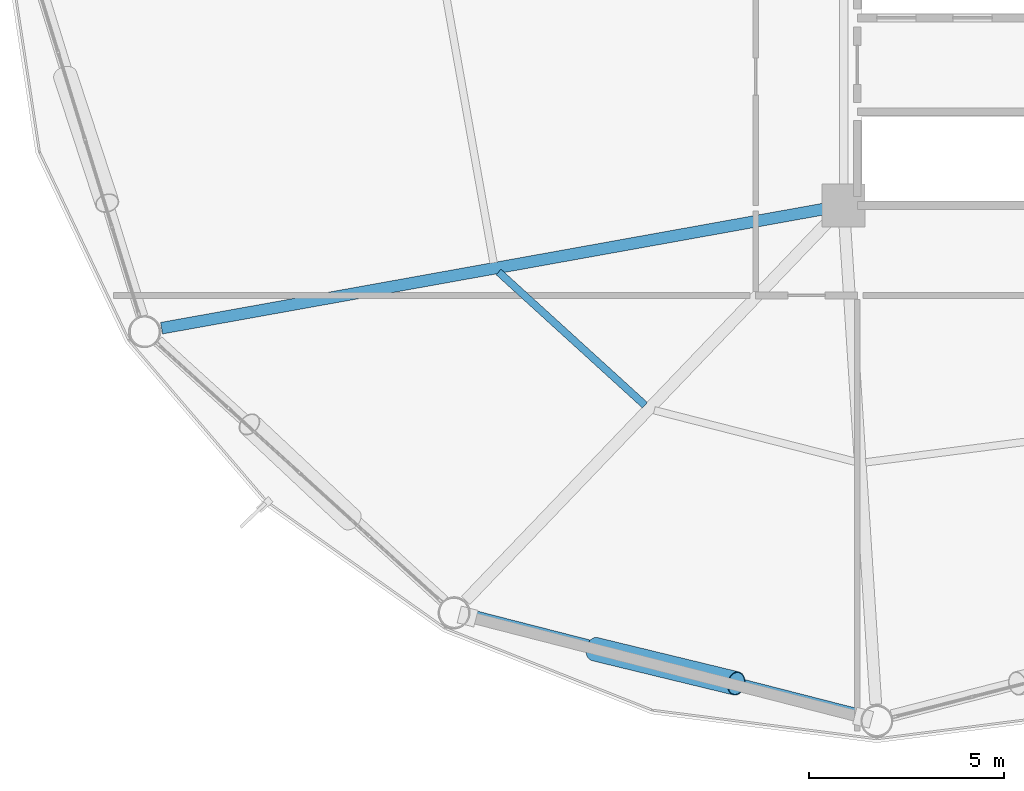
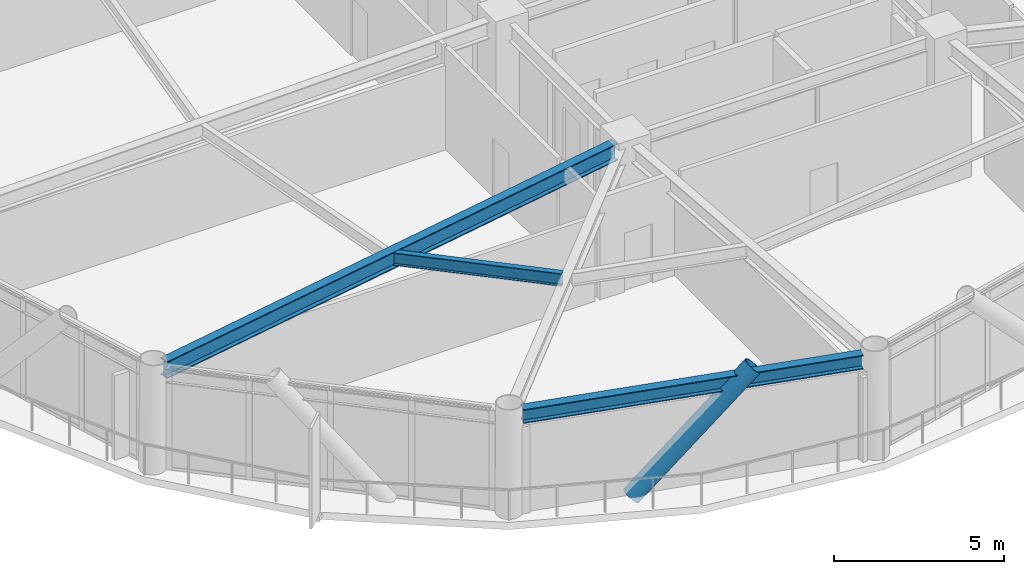
# One storey, part 4 of 25: 3 beams, 1 member.
"""IFC4 building model written with IfcOpenShell, lengths in metres."""

import ifcopenshell
import ifcopenshell.guid

model = None  # the IFC model being written
_history = None  # IfcOwnerHistory: only IFC2X3 demands one
_inside = {}  # id of a spatial element -> (the spatial element, [elements in it])
_under = {}  # id of a project, library or spatial element -> (it, [spatial elements below it])
_declared = {}  # id of a project -> (the project, [libraries it declares])
_typed = {}  # id of a type object -> (the type object, [elements of that type])
_made_of = {}  # id of a material, layer set ... -> (it, [elements and type objects made of it])


def new_model(schema):
    """Start an empty IFC model of exactly this schema.

    Asked for "IFC4X3", IfcOpenShell would pick the latest addendum, in which some entities
    have other attributes; the version numbers below select the first issue.
    IFC2X3 requires an IfcOwnerHistory on every rooted entity: one is made here for all.
    """
    global model, _history
    if schema == "IFC4X3":
        model = ifcopenshell.file(schema_version=(4, 3, 0, 0))
    else:
        model = ifcopenshell.file(schema=schema)
    _inside.clear()
    _under.clear()
    _declared.clear()
    _typed.clear()
    _made_of.clear()
    _history = None
    if model.schema == "IFC2X3":
        org = make("IfcOrganization", Name="unknown")
        user = make(
            "IfcPersonAndOrganization",
            ThePerson=make("IfcPerson", FamilyName="unknown"),
            TheOrganization=org,
        )
        app = make(
            "IfcApplication",
            ApplicationDeveloper=org,
            Version="unknown",
            ApplicationFullName="unknown",
            ApplicationIdentifier="unknown",
        )
        _history = make(
            "IfcOwnerHistory",
            OwningUser=user,
            OwningApplication=app,
            ChangeAction="ADDED",
            CreationDate=0,
        )
    return model


def make(cls, **values):
    """One entity of the class cls with the attributes given. An attribute that is None is left unset."""
    return model.create_entity(
        cls, **{name: value for name, value in values.items() if value is not None}
    )


def rooted(cls, **values):
    """An entity with a GlobalId (a new one), such as an element, a storey or a relation."""
    return make(cls, GlobalId=ifcopenshell.guid.new(), OwnerHistory=_history, **values)


def si_unit(unit_type, name, prefix=None):
    """IfcSIUnit, for example si_unit("LENGTHUNIT", "METRE", prefix="MILLI")."""
    return make("IfcSIUnit", UnitType=unit_type, Prefix=prefix, Name=name)


def assignment(units):
    """IfcUnitAssignment: the units of a project."""
    return None if units is None else make("IfcUnitAssignment", Units=units)


def point(xyz):
    """IfcCartesianPoint."""
    return None if xyz is None else make("IfcCartesianPoint", Coordinates=xyz)


def direction(xyz):
    """IfcDirection."""
    return None if xyz is None else make("IfcDirection", DirectionRatios=xyz)


def frame(location, z_axis=None, x_axis=None):
    """IfcAxis2Placement3D, a coordinate frame: its origin and axes. An axis left out is left unset."""
    return make(
        "IfcAxis2Placement3D",
        Location=point(location),
        Axis=direction(z_axis),
        RefDirection=direction(x_axis),
    )


def frame_2d(location, x_axis=None):
    """IfcAxis2Placement2D, a coordinate frame in the plane: its origin and x axis."""
    return make(
        "IfcAxis2Placement2D", Location=point(location), RefDirection=direction(x_axis)
    )


def origin():
    """The frame at (0, 0, 0) with its axes left unset."""
    return frame((0.0, 0.0, 0.0))


def origin_2d():
    """The frame at (0, 0) in the plane with its x axis left unset."""
    return frame_2d((0.0, 0.0))


def place(relative_to, where):
    """IfcLocalPlacement: puts the frame where relative to a parent placement (None: the world)."""
    return make(
        "IfcLocalPlacement", PlacementRelTo=relative_to, RelativePlacement=where
    )


def context(
    kind, dimensions, precision=None, world=None, true_north=None, identifier=None
):
    """IfcGeometricRepresentationContext, for example the 3D "Model" context."""
    return make(
        "IfcGeometricRepresentationContext",
        ContextIdentifier=identifier,
        ContextType=kind,
        CoordinateSpaceDimension=dimensions,
        Precision=precision,
        WorldCoordinateSystem=world,
        TrueNorth=true_north,
    )


def subcontext(parent, identifier, kind, view, scale=None):
    """IfcGeometricRepresentationSubContext, for example "Body" below "Model"."""
    return make(
        "IfcGeometricRepresentationSubContext",
        ContextIdentifier=identifier,
        ContextType=kind,
        ParentContext=parent,
        TargetScale=scale,
        TargetView=view,
    )


def project(units=None, contexts=None):
    """IfcProject with its units and contexts."""
    return rooted(
        "IfcProject",
        Name="project",
        RepresentationContexts=contexts,
        UnitsInContext=assignment(units),
    )


def spatial(cls, under=None, at=None, **own):
    """A site, building, storey or space (cls), placed at a placement, below another one or the project."""
    s = rooted(cls, ObjectPlacement=at, **own)
    if under is not None:
        _under.setdefault(under.id(), (under, []))[1].append(s)
    return s


def profile(cls, at=None, kind="AREA", **sizes):
    """A parametric profile (cls). Its sizes go by their IFC names, for example OverallWidth=200.0."""
    return make(cls, ProfileType=kind, Position=at, **sizes)


def hollow_circle(**sizes):
    """IfcCircleHollowProfileDef."""
    return profile("IfcCircleHollowProfileDef", **sizes)


def i_section(**sizes):
    """IfcIShapeProfileDef."""
    return profile("IfcIShapeProfileDef", **sizes)


def extrude(swept, where, along, depth):
    """IfcExtrudedAreaSolid: the profile swept, set in the frame where, extruded along a direction by depth."""
    return make(
        "IfcExtrudedAreaSolid",
        SweptArea=swept,
        Position=where,
        ExtrudedDirection=direction(along),
        Depth=depth,
    )


def shape(context_of_items, identifier, shape_type, items):
    """IfcShapeRepresentation: the items that make up one representation, for example the "Body"."""
    return make(
        "IfcShapeRepresentation",
        ContextOfItems=context_of_items,
        RepresentationIdentifier=identifier,
        RepresentationType=shape_type,
        Items=items,
    )


def material(Name=None, Category=None):
    """IfcMaterial."""
    return make("IfcMaterial", Name=Name, Category=Category)


def material_profile(
    of_material, cross_section, Name=None, Category=None, Priority=None
):
    """IfcMaterialProfile: a cross section and its material."""
    return make(
        "IfcMaterialProfile",
        Name=Name,
        Material=of_material,
        Profile=cross_section,
        Priority=Priority,
        Category=Category,
    )


def profile_set(profiles, Name=None, composite=None):
    """IfcMaterialProfileSet."""
    return make(
        "IfcMaterialProfileSet",
        Name=Name,
        MaterialProfiles=profiles,
        CompositeProfile=composite,
    )


def made_of(thing, what):
    """Note that an element or type object is made of a material, layer set ...; save() writes the relation."""
    if what is not None:
        _made_of.setdefault(what.id(), (what, []))[1].append(thing)
    return thing


def type_object(cls, material=None, **own):
    """A type object (cls), such as IfcWallType, which elements share."""
    return made_of(rooted(cls, **own), material)


def element(
    cls,
    number,
    at=None,
    inside=None,
    cuts=None,
    type_object=None,
    material=None,
    context=None,
    identifier="Body",
    shape_type=None,
    held_by="IfcProductDefinitionShape",
    body=None,
    shapes=None,
    **own,
):
    """One element of the class cls, such as IfcWall. Its Tag is "e" and its number.

    at: its placement. inside: the storey or other place that contains it. cuts: it is an
    opening in that element (IfcRelVoidsElement). A single representation is given by context,
    identifier, shape_type and body (its items); several are given by shapes. held_by: the class
    of the entity that holds the representations. save() writes the other relations.
    """
    e = rooted(cls, Tag="e%d" % number, ObjectPlacement=at, **own)
    if body is not None:
        shapes = [shape(context, identifier, shape_type, body)]
    if shapes is not None:
        e.Representation = make(held_by, Representations=shapes)
    if inside is not None:
        _inside.setdefault(inside.id(), (inside, []))[1].append(e)
    if cuts is not None:
        rooted(
            "IfcRelVoidsElement", RelatingBuildingElement=cuts, RelatedOpeningElement=e
        )
    if type_object is not None:
        _typed.setdefault(type_object.id(), (type_object, []))[1].append(e)
    return made_of(e, material)


def aggregate(whole, parts):
    """IfcRelAggregates: a whole, such as a stair, and the parts it consists of."""
    return rooted("IfcRelAggregates", RelatingObject=whole, RelatedObjects=parts)


def save(model, path):
    """Write the relations noted so far, then the file.

    IfcRelAggregates (storeys below a building ...), IfcRelContainedInSpatialStructure (elements
    in a storey), IfcRelDefinesByType, IfcRelAssociatesMaterial and IfcRelDeclares: one each for
    every whole, place, type object, material and project.
    """
    for whole, parts in _under.values():
        aggregate(whole, parts)
    for where, things in _inside.values():
        rooted(
            "IfcRelContainedInSpatialStructure",
            RelatedElements=things,
            RelatingStructure=where,
        )
    for kind, things in _typed.values():
        rooted("IfcRelDefinesByType", RelatedObjects=things, RelatingType=kind)
    for what, things in _made_of.values():
        rooted("IfcRelAssociatesMaterial", RelatedObjects=things, RelatingMaterial=what)
    for by, libraries in _declared.values():
        rooted("IfcRelDeclares", RelatingContext=by, RelatedDefinitions=libraries)
    model.write(path)


model = new_model("IFC4")

# Units and contexts
model_context = context("Model", 3, precision=1e-05, world=origin(), true_north=direction((0.0, 1.0)))
body_context = subcontext(model_context, "Body", "Model", "MODEL_VIEW")
ifc_project = project(units=[si_unit("LENGTHUNIT", "METRE"), si_unit("AREAUNIT", "SQUARE_METRE"), si_unit("VOLUMEUNIT", "CUBIC_METRE"), si_unit("PLANEANGLEUNIT", "RADIAN"), si_unit("MASSUNIT", "GRAM", prefix="KILO")], contexts=[model_context])

# Site, building, storey
site_placement = place(None, origin())
site = spatial("IfcSite", under=ifc_project, at=site_placement, CompositionType="ELEMENT")
building_placement = place(site_placement, origin())
building = spatial("IfcBuilding", under=site, at=building_placement, Name="Varnakorn Sky Granary", CompositionType="ELEMENT")
storey_placement = place(building_placement, frame((0.0, 0.0, 91.5)))
storey = spatial("IfcBuildingStorey", under=building, at=storey_placement, Name="L22", CompositionType="ELEMENT", Elevation=91.5)

# Beams
ifc_material_1 = material(Name="Steel S355JR", Category="steel")
ifc_material_profile_1 = material_profile(ifc_material_1, i_section(OverallWidth=0.300048828125, OverallDepth=0.60009765625, WebThickness=0.015380859375, FlangeThickness=0.030029296875, at=origin_2d()), Name="HE 600 B")
ifc_profile_set_1 = profile_set([ifc_material_profile_1], Name="Steel S355JR")
beam_type_1 = type_object("IfcBeamType", Name="BM-RAD-Z2", PredefinedType="BEAM", material=ifc_profile_set_1)
beam_1_placement = place(storey_placement, frame((-2.763427734375, -6.67431640625, 3.340087890625), z_axis=(-0.984194924783, -0.177088537265, 0.0), x_axis=(0.177088537265, -0.984194924783, 0.0)))
element("IfcBeam", 1, at=beam_1_placement, inside=storey, type_object=beam_type_1, Name="Radial Floor Girder RG08 L22", PredefinedType="BEAM", context=body_context, shape_type="SweptSolid", body=[
    extrude(i_section(OverallWidth=0.300048828125, OverallDepth=0.60009765625, WebThickness=0.015380859375, FlangeThickness=0.030029296875, at=origin_2d()), origin(), (0.0, 0.0, 1.0), 17.315673828125),
])
ifc_material_profile_2 = material_profile(ifc_material_1, i_section(OverallWidth=0.18994140625, OverallDepth=0.449951171875, WebThickness=0.009521484375, FlangeThickness=0.0146484375, at=origin_2d()), Name="IPE 450")
ifc_profile_set_2 = profile_set([ifc_material_profile_2], Name="Steel S355JR")
beam_type_2 = type_object("IfcBeamType", Name="BM-SEC-Z2", PredefinedType="BEAM", material=ifc_profile_set_2)
beam_2_placement = place(storey_placement, frame((-11.180908203125, -8.3017578125, 3.4150390625), z_axis=(0.739573655476, -0.673075633287, 0.0), x_axis=(0.673075633287, 0.739573655476, 0.0)))
element("IfcBeam", 2, at=beam_2_placement, inside=storey, type_object=beam_type_2, Name="Secondary Floor Chord Beam MSB08 L22", PredefinedType="BEAM", context=body_context, shape_type="SweptSolid", body=[
    extrude(i_section(OverallWidth=0.18994140625, OverallDepth=0.449951171875, WebThickness=0.009521484375, FlangeThickness=0.0146484375, at=origin_2d()), origin(), (0.0, 0.0, 1.0), 5.06640625),
])
ifc_material_profile_3 = material_profile(ifc_material_1, i_section(OverallWidth=0.300048828125, OverallDepth=0.5, WebThickness=0.014404296875, FlangeThickness=0.028076171875, at=origin_2d()), Name="HE 500 B")
ifc_profile_set_3 = profile_set([ifc_material_profile_3], Name="Steel S355JR")
beam_type_3 = type_object("IfcBeamType", Name="BM-SPD-Z2", PredefinedType="SPANDREL", material=ifc_profile_set_3)
beam_3_placement = place(storey_placement, frame((-11.91162109375, -17.08837890625, 3.389892578125), z_axis=(0.968728550674, -0.248122943537, 0.0), x_axis=(0.248122943537, 0.968728550674, 0.0)))
element("IfcBeam", 3, at=beam_3_placement, inside=storey, type_object=beam_type_3, Name="Perimeter Spandrel Ring Beam RB09 L22", PredefinedType="SPANDREL", context=body_context, shape_type="SweptSolid", body=[
    extrude(i_section(OverallWidth=0.300048828125, OverallDepth=0.5, WebThickness=0.014404296875, FlangeThickness=0.028076171875, at=origin_2d()), origin(), (0.0, 0.0, 1.0), 10.35595703125),
])

# Member
ifc_material_2 = material(Name="Steel S460M", Category="steel")
ifc_material_profile_4 = material_profile(ifc_material_2, hollow_circle(Radius=0.304931640625, WallThickness=0.022216796875, at=origin_2d()), Name="CHS 610x22")
ifc_profile_set_4 = profile_set([ifc_material_profile_4], Name="Steel S460M")
member_type = type_object("IfcMemberType", Name="MB-DIAG-T1", PredefinedType="BRACE", material=ifc_profile_set_4)
member_placement = place(storey_placement, frame((-8.716064453125, -17.955322265625, -0.1298828125), z_axis=(0.669344297662, -0.162459577913, 0.724972479982), x_axis=(0.23586644361, 0.971785480844, 0.0)))
element("IfcMember", 4, at=member_placement, inside=storey, type_object=member_type, Name="Perimeter CHS Diagrid Brace DG09 L22", PredefinedType="BRACE", context=body_context, shape_type="SweptSolid", body=[
    extrude(hollow_circle(Radius=0.304931640625, WallThickness=0.022216796875, at=origin_2d()), origin(), (0.0, 0.0, 1.0), 5.406982421875),
])

save(model, "model.ifc")
